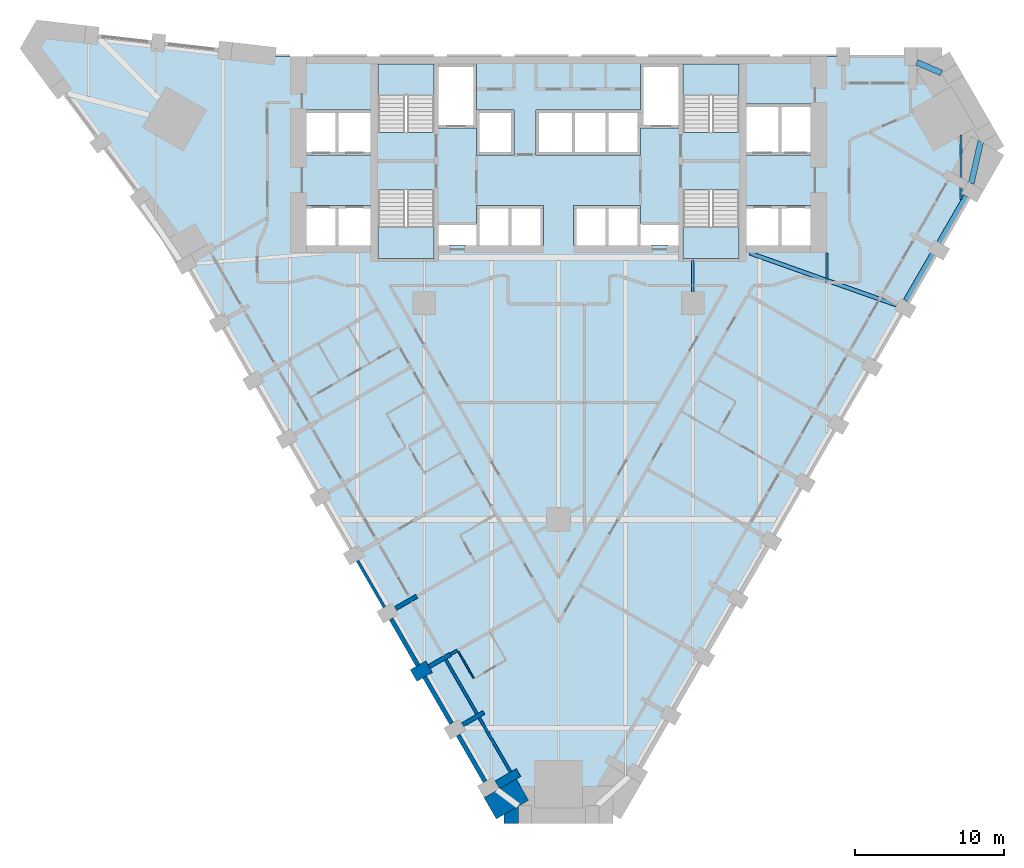
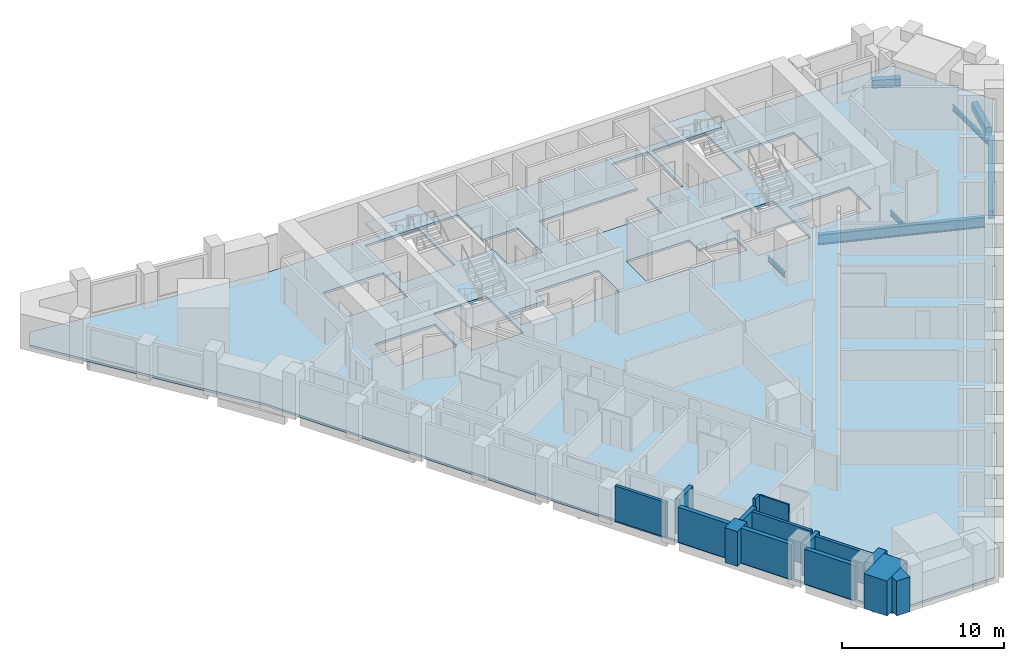
# One storey, part 2 of 11: 15 walls, 7 beams, 5 slabs, 4 elements without a shape of their own.
"""IFC4 building model written with IfcOpenShell, lengths in metres."""

import ifcopenshell
import ifcopenshell.guid

model = None  # the IFC model being written
_history = None  # IfcOwnerHistory: only IFC2X3 demands one
_inside = {}  # id of a spatial element -> (the spatial element, [elements in it])
_under = {}  # id of a project, library or spatial element -> (it, [spatial elements below it])
_declared = {}  # id of a project -> (the project, [libraries it declares])
_typed = {}  # id of a type object -> (the type object, [elements of that type])
_made_of = {}  # id of a material, layer set ... -> (it, [elements and type objects made of it])


def new_model(schema):
    """Start an empty IFC model of exactly this schema.

    Asked for "IFC4X3", IfcOpenShell would pick the latest addendum, in which some entities
    have other attributes; the version numbers below select the first issue.
    IFC2X3 requires an IfcOwnerHistory on every rooted entity: one is made here for all.
    """
    global model, _history
    if schema == "IFC4X3":
        model = ifcopenshell.file(schema_version=(4, 3, 0, 0))
    else:
        model = ifcopenshell.file(schema=schema)
    _inside.clear()
    _under.clear()
    _declared.clear()
    _typed.clear()
    _made_of.clear()
    _history = None
    if model.schema == "IFC2X3":
        org = make("IfcOrganization", Name="unknown")
        user = make(
            "IfcPersonAndOrganization",
            ThePerson=make("IfcPerson", FamilyName="unknown"),
            TheOrganization=org,
        )
        app = make(
            "IfcApplication",
            ApplicationDeveloper=org,
            Version="unknown",
            ApplicationFullName="unknown",
            ApplicationIdentifier="unknown",
        )
        _history = make(
            "IfcOwnerHistory",
            OwningUser=user,
            OwningApplication=app,
            ChangeAction="ADDED",
            CreationDate=0,
        )
    return model


def make(cls, **values):
    """One entity of the class cls with the attributes given. An attribute that is None is left unset."""
    return model.create_entity(
        cls, **{name: value for name, value in values.items() if value is not None}
    )


def rooted(cls, **values):
    """An entity with a GlobalId (a new one), such as an element, a storey or a relation."""
    return make(cls, GlobalId=ifcopenshell.guid.new(), OwnerHistory=_history, **values)


def si_unit(unit_type, name, prefix=None):
    """IfcSIUnit, for example si_unit("LENGTHUNIT", "METRE", prefix="MILLI")."""
    return make("IfcSIUnit", UnitType=unit_type, Prefix=prefix, Name=name)


def assignment(units):
    """IfcUnitAssignment: the units of a project."""
    return None if units is None else make("IfcUnitAssignment", Units=units)


def point(xyz):
    """IfcCartesianPoint."""
    return None if xyz is None else make("IfcCartesianPoint", Coordinates=xyz)


def direction(xyz):
    """IfcDirection."""
    return None if xyz is None else make("IfcDirection", DirectionRatios=xyz)


def frame(location, z_axis=None, x_axis=None):
    """IfcAxis2Placement3D, a coordinate frame: its origin and axes. An axis left out is left unset."""
    return make(
        "IfcAxis2Placement3D",
        Location=point(location),
        Axis=direction(z_axis),
        RefDirection=direction(x_axis),
    )


def frame_2d(location, x_axis=None):
    """IfcAxis2Placement2D, a coordinate frame in the plane: its origin and x axis."""
    return make(
        "IfcAxis2Placement2D", Location=point(location), RefDirection=direction(x_axis)
    )


def origin():
    """The frame at (0, 0, 0) with its axes left unset."""
    return frame((0.0, 0.0, 0.0))


def origin_2d():
    """The frame at (0, 0) in the plane with its x axis left unset."""
    return frame_2d((0.0, 0.0))


def place(relative_to, where):
    """IfcLocalPlacement: puts the frame where relative to a parent placement (None: the world)."""
    return make(
        "IfcLocalPlacement", PlacementRelTo=relative_to, RelativePlacement=where
    )


def context(
    kind, dimensions, precision=None, world=None, true_north=None, identifier=None
):
    """IfcGeometricRepresentationContext, for example the 3D "Model" context."""
    return make(
        "IfcGeometricRepresentationContext",
        ContextIdentifier=identifier,
        ContextType=kind,
        CoordinateSpaceDimension=dimensions,
        Precision=precision,
        WorldCoordinateSystem=world,
        TrueNorth=true_north,
    )


def subcontext(parent, identifier, kind, view, scale=None):
    """IfcGeometricRepresentationSubContext, for example "Body" below "Model"."""
    return make(
        "IfcGeometricRepresentationSubContext",
        ContextIdentifier=identifier,
        ContextType=kind,
        ParentContext=parent,
        TargetScale=scale,
        TargetView=view,
    )


def project(units=None, contexts=None):
    """IfcProject with its units and contexts."""
    return rooted(
        "IfcProject",
        Name="project",
        RepresentationContexts=contexts,
        UnitsInContext=assignment(units),
    )


def spatial(cls, under=None, at=None, **own):
    """A site, building, storey or space (cls), placed at a placement, below another one or the project."""
    s = rooted(cls, ObjectPlacement=at, **own)
    if under is not None:
        _under.setdefault(under.id(), (under, []))[1].append(s)
    return s


def polyline(points):
    """IfcPolyline through the points."""
    return make("IfcPolyline", Points=[point(p) for p in points])


def profile(cls, at=None, kind="AREA", **sizes):
    """A parametric profile (cls). Its sizes go by their IFC names, for example OverallWidth=200.0."""
    return make(cls, ProfileType=kind, Position=at, **sizes)


def rectangle(**sizes):
    """IfcRectangleProfileDef."""
    return profile("IfcRectangleProfileDef", **sizes)


def i_section(**sizes):
    """IfcIShapeProfileDef."""
    return profile("IfcIShapeProfileDef", **sizes)


def outline(outer, holes=None, kind="AREA"):
    """IfcArbitraryClosedProfileDef: a profile drawn as a closed curve; with holes, ...WithVoids."""
    if holes is None:
        return make("IfcArbitraryClosedProfileDef", ProfileType=kind, OuterCurve=outer)
    return make(
        "IfcArbitraryProfileDefWithVoids",
        ProfileType=kind,
        OuterCurve=outer,
        InnerCurves=holes,
    )


def extrude(swept, where, along, depth):
    """IfcExtrudedAreaSolid: the profile swept, set in the frame where, extruded along a direction by depth."""
    return make(
        "IfcExtrudedAreaSolid",
        SweptArea=swept,
        Position=where,
        ExtrudedDirection=direction(along),
        Depth=depth,
    )


def shape(context_of_items, identifier, shape_type, items):
    """IfcShapeRepresentation: the items that make up one representation, for example the "Body"."""
    return make(
        "IfcShapeRepresentation",
        ContextOfItems=context_of_items,
        RepresentationIdentifier=identifier,
        RepresentationType=shape_type,
        Items=items,
    )


def material(Name=None, Category=None):
    """IfcMaterial."""
    return make("IfcMaterial", Name=Name, Category=Category)


def layer(
    of_material, thickness, ventilated=None, Name=None, Category=None, Priority=None
):
    """IfcMaterialLayer: one layer of a wall or slab, of a material (None: an air gap)."""
    return make(
        "IfcMaterialLayer",
        Material=of_material,
        LayerThickness=thickness,
        IsVentilated=ventilated,
        Name=Name,
        Category=Category,
        Priority=Priority,
    )


def layer_set(layers, Name=None):
    """IfcMaterialLayerSet."""
    return make("IfcMaterialLayerSet", MaterialLayers=layers, LayerSetName=Name)


def material_profile(
    of_material, cross_section, Name=None, Category=None, Priority=None
):
    """IfcMaterialProfile: a cross section and its material."""
    return make(
        "IfcMaterialProfile",
        Name=Name,
        Material=of_material,
        Profile=cross_section,
        Priority=Priority,
        Category=Category,
    )


def profile_set(profiles, Name=None, composite=None):
    """IfcMaterialProfileSet."""
    return make(
        "IfcMaterialProfileSet",
        Name=Name,
        MaterialProfiles=profiles,
        CompositeProfile=composite,
    )


def made_of(thing, what):
    """Note that an element or type object is made of a material, layer set ...; save() writes the relation."""
    if what is not None:
        _made_of.setdefault(what.id(), (what, []))[1].append(thing)
    return thing


def type_object(cls, material=None, **own):
    """A type object (cls), such as IfcWallType, which elements share."""
    return made_of(rooted(cls, **own), material)


def element(
    cls,
    number,
    at=None,
    inside=None,
    cuts=None,
    type_object=None,
    material=None,
    context=None,
    identifier="Body",
    shape_type=None,
    held_by="IfcProductDefinitionShape",
    body=None,
    shapes=None,
    **own,
):
    """One element of the class cls, such as IfcWall. Its Tag is "e" and its number.

    at: its placement. inside: the storey or other place that contains it. cuts: it is an
    opening in that element (IfcRelVoidsElement). A single representation is given by context,
    identifier, shape_type and body (its items); several are given by shapes. held_by: the class
    of the entity that holds the representations. save() writes the other relations.
    """
    e = rooted(cls, Tag="e%d" % number, ObjectPlacement=at, **own)
    if body is not None:
        shapes = [shape(context, identifier, shape_type, body)]
    if shapes is not None:
        e.Representation = make(held_by, Representations=shapes)
    if inside is not None:
        _inside.setdefault(inside.id(), (inside, []))[1].append(e)
    if cuts is not None:
        rooted(
            "IfcRelVoidsElement", RelatingBuildingElement=cuts, RelatedOpeningElement=e
        )
    if type_object is not None:
        _typed.setdefault(type_object.id(), (type_object, []))[1].append(e)
    return made_of(e, material)


def aggregate(whole, parts):
    """IfcRelAggregates: a whole, such as a stair, and the parts it consists of."""
    return rooted("IfcRelAggregates", RelatingObject=whole, RelatedObjects=parts)


def save(model, path):
    """Write the relations noted so far, then the file.

    IfcRelAggregates (storeys below a building ...), IfcRelContainedInSpatialStructure (elements
    in a storey), IfcRelDefinesByType, IfcRelAssociatesMaterial and IfcRelDeclares: one each for
    every whole, place, type object, material and project.
    """
    for whole, parts in _under.values():
        aggregate(whole, parts)
    for where, things in _inside.values():
        rooted(
            "IfcRelContainedInSpatialStructure",
            RelatedElements=things,
            RelatingStructure=where,
        )
    for kind, things in _typed.values():
        rooted("IfcRelDefinesByType", RelatedObjects=things, RelatingType=kind)
    for what, things in _made_of.values():
        rooted("IfcRelAssociatesMaterial", RelatedObjects=things, RelatingMaterial=what)
    for by, libraries in _declared.values():
        rooted("IfcRelDeclares", RelatingContext=by, RelatedDefinitions=libraries)
    model.write(path)


model = new_model("IFC4")

# Units and contexts
model_context = context("Model", 3, precision=1e-05, world=origin(), true_north=direction((0.0, 1.0)))
body_context = subcontext(model_context, "Body", "Model", "MODEL_VIEW")
ifc_project = project(units=[si_unit("LENGTHUNIT", "METRE"), si_unit("AREAUNIT", "SQUARE_METRE"), si_unit("VOLUMEUNIT", "CUBIC_METRE"), si_unit("PLANEANGLEUNIT", "RADIAN"), si_unit("MASSUNIT", "GRAM", prefix="KILO")], contexts=[model_context])

# Site, building, storey
site_placement = place(None, origin())
site = spatial("IfcSite", under=ifc_project, at=site_placement, CompositionType="ELEMENT")
building_placement = place(site_placement, origin())
building = spatial("IfcBuilding", under=site, at=building_placement, Name="Calabash Gate Tower", CompositionType="ELEMENT")
storey_placement = place(building_placement, frame((0.0, 0.0, 49.39990234375)))
storey = spatial("IfcBuildingStorey", under=building, at=storey_placement, Name="L07", CompositionType="ELEMENT", Elevation=49.39990234375)

# Beams
ifc_material_1 = material(Name="Concrete C60/75", Category="concrete")
ifc_material_profile_1 = material_profile(ifc_material_1, rectangle(XDim=0.39990234375, YDim=0.60009765625, at=origin_2d()))
ifc_profile_set_1 = profile_set([ifc_material_profile_1], Name="Concrete C60/75")
beam_type_1 = type_object("IfcBeamType", Name="Edge beam RC 400x600 Concrete C60/75", PredefinedType="BEAM", material=ifc_profile_set_1)
beam_1_placement = place(storey_placement, frame((23.302001953125, 2.656982421875, -0.469970703125), z_axis=(0.500104308266, 0.865965173003, 0.0), x_axis=(-0.865965173003, 0.500104308266, 0.0)))
element("IfcBeam", 1, at=beam_1_placement, inside=storey, type_object=beam_type_1, Name="Edge beam L07 11", PredefinedType="BEAM", context=body_context, shape_type="SweptSolid", body=[
    extrude(rectangle(XDim=0.39990234375, YDim=0.60009765625, at=origin_2d()), origin(), (0.0, 0.0, 1.0), 8.098388671875),
])
beam_2_placement = place(storey_placement, frame((27.669921875, 10.511962890625, -0.469970703125), z_axis=(0.221008263072, 0.975271935233, 0.0), x_axis=(-0.975271935233, 0.221008263072, 0.0)))
element("IfcBeam", 2, at=beam_2_placement, inside=storey, type_object=beam_type_1, Name="Edge beam L07 12", PredefinedType="BEAM", context=body_context, shape_type="SweptSolid", body=[
    extrude(rectangle(XDim=0.39990234375, YDim=0.60009765625, at=origin_2d()), origin(), (0.0, 0.0, 1.0), 2.927490234375),
])
beam_3_placement = place(storey_placement, frame((25.669921875, 17.93798828125, -0.469970703125), z_axis=(-0.91749083079, 0.397756930067, 0.0), x_axis=(-0.397756930067, -0.91749083079, 0.0)))
element("IfcBeam", 3, at=beam_3_placement, inside=storey, type_object=beam_type_1, Name="Edge beam L07 13", PredefinedType="BEAM", context=body_context, shape_type="SweptSolid", body=[
    extrude(rectangle(XDim=0.39990234375, YDim=0.60009765625, at=origin_2d()), origin(), (0.0, 0.0, 1.0), 1.787353515625),
])
ifc_material_2 = material(Name="Steel ASTM A992 Gr50", Category="steel")
ifc_material_profile_2 = material_profile(ifc_material_2, i_section(OverallWidth=0.1396484375, OverallDepth=0.398681640625, WebThickness=0.00634765625, FlangeThickness=0.0087890625, FilletRadius=0.01025390625, at=origin_2d()))
ifc_profile_set_2 = profile_set([ifc_material_profile_2], Name="Steel ASTM A992 Gr50")
beam_type_2 = type_object("IfcBeamType", Name="Floor beam W16x26 ASTM A992 Gr50", PredefinedType="BEAM", material=ifc_profile_set_2)
beam_4_placement = place(storey_placement, frame((9.0, 3.300048828125, -0.368896484375), z_axis=(0.0, 1.0, 0.0), x_axis=(-1.0, 0.0, 0.0)))
element("IfcBeam", 4, at=beam_4_placement, inside=storey, type_object=beam_type_2, Name="Floor beam L07 23", PredefinedType="BEAM", context=body_context, shape_type="SweptSolid", body=[
    extrude(i_section(OverallWidth=0.1396484375, OverallDepth=0.398681640625, WebThickness=0.00634765625, FlangeThickness=0.0087890625, FilletRadius=0.01025390625, at=origin_2d()), origin(), (0.0, 0.0, 1.0), 2.10302734375),
])
beam_5_placement = place(storey_placement, frame((18.0, 4.136962890625, -0.368896484375), z_axis=(0.0, 1.0, 0.0), x_axis=(-1.0, 0.0, 0.0)))
element("IfcBeam", 5, at=beam_5_placement, inside=storey, type_object=beam_type_2, Name="Floor beam L07 27", PredefinedType="BEAM", context=body_context, shape_type="SweptSolid", body=[
    extrude(i_section(OverallWidth=0.1396484375, OverallDepth=0.398681640625, WebThickness=0.00634765625, FlangeThickness=0.0087890625, FilletRadius=0.01025390625, at=origin_2d()), origin(), (0.0, 0.0, 1.0), 1.716064453125),
])
beam_6_placement = place(storey_placement, frame((27.0, 9.447998046875, -0.368896484375), z_axis=(0.0, 1.0, 0.0), x_axis=(-1.0, 0.0, 0.0)))
element("IfcBeam", 6, at=beam_6_placement, inside=storey, type_object=beam_type_2, Name="Floor beam L07 28", PredefinedType="BEAM", context=body_context, shape_type="SweptSolid", body=[
    extrude(i_section(OverallWidth=0.1396484375, OverallDepth=0.398681640625, WebThickness=0.00634765625, FlangeThickness=0.0087890625, FilletRadius=0.01025390625, at=origin_2d()), origin(), (0.0, 0.0, 1.0), 4.324951171875),
])
ifc_material_3 = material(Name="Steel ASTM A992 Gr50", Category="steel")
ifc_material_profile_3 = material_profile(ifc_material_3, i_section(OverallWidth=0.2666015625, OverallDepth=0.77978515625, WebThickness=0.0166015625, FlangeThickness=0.030029296875, FilletRadius=0.0166015625, at=origin_2d()))
ifc_profile_set_3 = profile_set([ifc_material_profile_3], Name="Steel ASTM A992 Gr50")
beam_type_3 = type_object("IfcBeamType", Name="Girder W30x148 ASTM A992 Gr50", PredefinedType="BEAM", material=ifc_profile_set_3)
beam_7_placement = place(storey_placement, frame((22.68603515625, 2.366943359375, -0.559814453125), z_axis=(-0.942595853191, 0.333935708705, 0.0), x_axis=(-0.333935708705, -0.942595853191, 0.0)))
element("IfcBeam", 7, at=beam_7_placement, inside=storey, type_object=beam_type_3, Name="Girder L07 3", PredefinedType="BEAM", context=body_context, shape_type="SweptSolid", body=[
    extrude(i_section(OverallWidth=0.2666015625, OverallDepth=0.77978515625, WebThickness=0.0166015625, FlangeThickness=0.030029296875, FilletRadius=0.0166015625, at=origin_2d()), origin(), (0.0, 0.0, 1.0), 10.460693359375),
])

# Slab
ifc_material_4 = material(Name="Concrete C40/50", Category="concrete")
ifc_layer_1 = layer(ifc_material_4, 0.169921875)
ifc_layer_set_1 = layer_set([ifc_layer_1], Name="Composite floor slab 170 Concrete C40/50")
slab_type_1 = type_object("IfcSlabType", Name="Composite floor slab 170 Concrete C40/50", PredefinedType="FLOOR", material=ifc_layer_set_1)
slab_1_placement = place(storey_placement, frame((0.0, 0.0, -0.169921875)))
element("IfcSlab", 8, at=slab_1_placement, inside=storey, type_object=slab_type_1, Name="Floor slab L07", PredefinedType="FLOOR", context=body_context, shape_type="SweptSolid", body=[
    extrude(outline(polyline([(-26.0, 6.92822265625), (-35.392578125, 19.606201171875), (-34.67578125, 20.84765625), (-19.0, 19.052490234375), (25.699951171875, 19.052490234375), (29.35009765625, 12.73046875), (3.64990234375, -31.783203125), (-3.64990234375, -31.783203125), (-26.0, 6.92822265625)]), holes=[polyline([(-5.5, 9.052490234375), (-5.5, 7.8525390625), (-8.050048828125, 7.8525390625), (-8.050048828125, 6.3525390625), (-7.324951171875, 6.3525390625), (-7.324951171875, 6.402587890625), (-6.22509765625, 6.402587890625), (-6.22509765625, 6.3525390625), (-5.5, 6.3525390625), (-3.25, 6.3525390625), (-1.0, 6.3525390625), (-1.0, 9.052490234375), (-3.25, 9.052490234375), (-5.5, 9.052490234375)]), polyline([(5.5, 9.052490234375), (3.25, 9.052490234375), (1.0, 9.052490234375), (1.0, 6.3525390625), (3.25, 6.3525390625), (5.5, 6.3525390625), (6.22509765625, 6.3525390625), (6.22509765625, 6.402587890625), (7.324951171875, 6.402587890625), (7.324951171875, 6.3525390625), (8.050048828125, 6.3525390625), (8.050048828125, 7.8525390625), (5.5, 7.8525390625), (5.5, 9.052490234375)]), polyline([(-5.5, 14.252685546875), (-5.5, 12.45263671875), (-3.0, 12.45263671875), (-3.0, 15.45263671875), (-5.5, 15.45263671875), (-5.5, 18.552490234375), (-8.050048828125, 18.552490234375), (-8.050048828125, 14.252685546875), (-5.5, 14.252685546875)]), polyline([(8.050048828125, 18.552490234375), (5.5, 18.552490234375), (5.5, 15.45263671875), (3.25, 15.45263671875), (1.0, 15.45263671875), (-1.5, 15.45263671875), (-1.5, 12.45263671875), (1.0, 12.45263671875), (3.25, 12.45263671875), (5.5, 12.45263671875), (5.5, 14.252685546875), (8.050048828125, 14.252685546875), (8.050048828125, 18.552490234375)]), polyline([(-12.60009765625, 6.3525390625), (-12.60009765625, 9.052490234375), (-14.85009765625, 9.052490234375), (-16.89990234375, 9.052490234375), (-16.89990234375, 6.3525390625), (-14.85009765625, 6.3525390625), (-12.60009765625, 6.3525390625)]), polyline([(-14.85009765625, 12.45263671875), (-12.60009765625, 12.45263671875), (-12.60009765625, 15.45263671875), (-14.85009765625, 15.45263671875), (-16.89990234375, 15.45263671875), (-16.89990234375, 12.45263671875), (-14.85009765625, 12.45263671875)]), polyline([(14.85009765625, 6.3525390625), (16.89990234375, 6.3525390625), (16.89990234375, 9.052490234375), (14.85009765625, 9.052490234375), (12.60009765625, 9.052490234375), (12.60009765625, 6.3525390625), (14.85009765625, 6.3525390625)]), polyline([(14.85009765625, 12.45263671875), (16.89990234375, 12.45263671875), (16.89990234375, 15.8525390625), (14.85009765625, 15.8525390625), (12.60009765625, 15.8525390625), (12.60009765625, 12.45263671875), (14.85009765625, 12.45263671875)]), polyline([(-8.35009765625, 18.552490234375), (-12.10009765625, 18.552490234375), (-12.10009765625, 13.95263671875), (-8.35009765625, 13.95263671875), (-8.35009765625, 18.552490234375)]), polyline([(-12.10009765625, 10.1025390625), (-12.10009765625, 5.502685546875), (-8.35009765625, 5.502685546875), (-8.35009765625, 10.1025390625), (-12.10009765625, 10.1025390625)]), polyline([(8.35009765625, 13.95263671875), (12.10009765625, 13.95263671875), (12.10009765625, 18.552490234375), (8.35009765625, 18.552490234375), (8.35009765625, 13.95263671875)]), polyline([(12.10009765625, 5.502685546875), (12.10009765625, 10.1025390625), (8.35009765625, 10.1025390625), (8.35009765625, 5.502685546875), (12.10009765625, 5.502685546875)])]), origin(), (0.0, 0.0, 1.0), 0.169921875),
])

# Stair, slab
ifc_material_5 = material(Name="Concrete C40/50", Category="concrete")
stair_type = type_object("IfcStairType", Name="Exit stair 20 risers of 170 mm", PredefinedType="HALF_TURN_STAIR", material=ifc_material_5)
stair_1_placement = place(storey_placement, origin())
stair_1 = element("IfcStair", 9, at=stair_1_placement, inside=storey, type_object=stair_type, Name="L07 Exit stair ST1", PredefinedType="HALF_TURN_STAIR")
ifc_material_6 = material(Name="Concrete C40/50", Category="concrete")
ifc_layer_2 = layer(ifc_material_6, 0.199951171875)
ifc_layer_set_2 = layer_set([ifc_layer_2], Name="Stair landing SL200")
slab_type_2 = type_object("IfcSlabType", Name="Stair landing SL200", PredefinedType="LANDING", material=ifc_layer_set_2)
slab_2_placement = place(storey_placement, frame((0.0, 0.0, 1.5)))
slab_2 = element("IfcSlab", 10, at=slab_2_placement, type_object=slab_type_2, Name="ST1 landing 1", PredefinedType="LANDING", context=body_context, shape_type="SweptSolid", body=[
    extrude(outline(polyline([(-8.35009765625, 16.463623046875), (-8.35009765625, 18.552490234375), (-12.10009765625, 18.552490234375), (-12.10009765625, 16.463623046875), (-8.35009765625, 16.463623046875)])), origin(), (0.0, 0.0, 1.0), 0.2001953125),
])
aggregate(stair_1, [slab_2])

stair_2_placement = place(storey_placement, origin())
stair_2 = element("IfcStair", 11, at=stair_2_placement, inside=storey, type_object=stair_type, Name="L07 Exit stair ST2", PredefinedType="HALF_TURN_STAIR")
slab_3_placement = place(storey_placement, frame((0.0, 0.0, 1.5)))
slab_3 = element("IfcSlab", 12, at=slab_3_placement, type_object=slab_type_2, Name="ST2 landing 1", PredefinedType="LANDING", context=body_context, shape_type="SweptSolid", body=[
    extrude(outline(polyline([(-12.10009765625, 7.591552734375), (-12.10009765625, 5.502685546875), (-8.35009765625, 5.502685546875), (-8.35009765625, 7.591552734375), (-12.10009765625, 7.591552734375)])), origin(), (0.0, 0.0, 1.0), 0.2001953125),
])
aggregate(stair_2, [slab_3])

stair_3_placement = place(storey_placement, origin())
stair_3 = element("IfcStair", 13, at=stair_3_placement, inside=storey, type_object=stair_type, Name="L07 Exit stair ST3", PredefinedType="HALF_TURN_STAIR")
slab_4_placement = place(storey_placement, frame((0.0, 0.0, 1.5)))
slab_4 = element("IfcSlab", 14, at=slab_4_placement, type_object=slab_type_2, Name="ST3 landing 1", PredefinedType="LANDING", context=body_context, shape_type="SweptSolid", body=[
    extrude(outline(polyline([(12.10009765625, 16.463623046875), (12.10009765625, 18.552490234375), (8.35009765625, 18.552490234375), (8.35009765625, 16.463623046875), (12.10009765625, 16.463623046875)])), origin(), (0.0, 0.0, 1.0), 0.2001953125),
])
aggregate(stair_3, [slab_4])

stair_4_placement = place(storey_placement, origin())
stair_4 = element("IfcStair", 15, at=stair_4_placement, inside=storey, type_object=stair_type, Name="L07 Exit stair ST4", PredefinedType="HALF_TURN_STAIR")
slab_5_placement = place(storey_placement, frame((0.0, 0.0, 1.5)))
slab_5 = element("IfcSlab", 16, at=slab_5_placement, type_object=slab_type_2, Name="ST4 landing 1", PredefinedType="LANDING", context=body_context, shape_type="SweptSolid", body=[
    extrude(outline(polyline([(8.35009765625, 7.591552734375), (8.35009765625, 5.502685546875), (12.10009765625, 5.502685546875), (12.10009765625, 7.591552734375), (8.35009765625, 7.591552734375)])), origin(), (0.0, 0.0, 1.0), 0.2001953125),
])
aggregate(stair_4, [slab_5])

# Walls
ifc_material_7 = material(Name="Terracotta brick masonry, exposed face", Category="masonry")
ifc_layer_3 = layer(ifc_material_7, 2.5)
ifc_layer_set_3 = layer_set([ifc_layer_3], Name="Brick corner mass wall 2500")
wall_type_1 = type_object("IfcWallType", Name="Brick corner mass wall 2500", PredefinedType="SOLIDWALL", material=ifc_layer_set_3)
wall_1_placement = place(storey_placement, origin())
element("IfcWall", 17, at=wall_1_placement, inside=storey, type_object=wall_type_1, Name="Brick corner pier S01 2a", PredefinedType="SOLIDWALL", context=body_context, shape_type="SweptSolid", body=[
    extrude(outline(polyline([(-2.004638671875, -30.833251953125), (-2.82958984375, -29.404296875), (-4.99462890625, -30.654296875), (-4.169677734375, -32.083251953125), (-2.699951171875, -31.234619140625), (-2.699951171875, -31.18310546875), (-2.610595703125, -31.18310546875), (-2.004638671875, -30.833251953125)])), origin(), (0.0, 0.0, 1.0), 2.630126953125),
])
wall_2_placement = place(storey_placement, origin())
element("IfcWall", 18, at=wall_2_placement, inside=storey, type_object=wall_type_1, Name="Brick corner pier S01 2ba", PredefinedType="SOLIDWALL", context=body_context, shape_type="SweptSolid", body=[
    extrude(outline(polyline([(-3.64990234375, -31.783203125), (-3.64990234375, -32.383056640625), (-2.699951171875, -32.383056640625), (-2.699951171875, -31.234619140625), (-3.64990234375, -31.783203125)])), origin(), (0.0, 0.0, 1.0), 2.630126953125),
])
ifc_material_8 = material(Name="Terracotta brick masonry, exposed face", Category="masonry")
ifc_layer_4 = layer(ifc_material_8, 1.199951171875)
ifc_layer_set_4 = layer_set([ifc_layer_4], Name="Brick end wall 1200")
wall_type_2 = type_object("IfcWallType", Name="Brick end wall 1200", PredefinedType="SOLIDWALL", material=ifc_layer_set_4)
wall_3_placement = place(storey_placement, frame((-8.680419921875, -21.870361328125, 0.0), z_axis=(0.0, 0.0, 1.0), x_axis=(-0.866094119867, -0.499880961361, 0.0)))
element("IfcWall", 19, at=wall_3_placement, inside=storey, type_object=wall_type_2, Name="Brick pier S01 SW0.7", PredefinedType="SOLIDWALL", context=body_context, shape_type="SweptSolid", body=[
    extrude(rectangle(XDim=1.199951171875, YDim=0.89990234375, at=frame_2d((0.60009765625, 0.0))), origin(), (0.0, 0.0, 1.0), 2.630126953125),
])
ifc_material_9 = material(Name="Terracotta brick masonry, exposed face", Category="masonry")
ifc_layer_5 = layer(ifc_material_9, 0.300048828125)
ifc_layer_set_5 = layer_set([ifc_layer_5], Name="Brick infill panel wall 300")
wall_type_3 = type_object("IfcWallType", Name="Brick infill panel wall 300", PredefinedType="SOLIDWALL", material=ifc_layer_set_5)
for number, where, z_axis, x_axis, name in (
    (20, (-11.22509765625, -18.662841796875, 0.0), (0.0, 0.0, 1.0), (0.500012057535, -0.866018442252, 0.0), "Brick panel S01 SW0.7"),
    (21, (-8.97509765625, -22.56005859375, 0.0), (0.0, 0.0, 1.0), (0.500012057535, -0.866018442252, 0.0), "Brick panel S01 SW0.8"),
):
    element("IfcWall", number, at=place(storey_placement, frame(where, z_axis=z_axis, x_axis=x_axis)), inside=storey, type_object=wall_type_3, Name=name, PredefinedType="SOLIDWALL", context=body_context, shape_type="SweptSolid", body=[
        extrude(rectangle(XDim=3.60009765625, YDim=0.300048828125, at=frame_2d((1.800048828125, 0.0))), origin(), (0.0, 0.0, 1.0), 2.630126953125),
    ])
wall_4_placement = place(storey_placement, frame((-4.92529296875, -29.574462890625, 0.0), z_axis=(0.0, 0.0, 1.0), x_axis=(-0.499990559667, 0.866030854095, 0.0)))
element("IfcWall", 22, at=wall_4_placement, inside=storey, type_object=wall_type_3, Name="Brick panel S01 SW0.9", PredefinedType="SOLIDWALL", context=body_context, shape_type="SweptSolid", body=[
    extrude(rectangle(XDim=3.599609375, YDim=0.300048828125, at=frame_2d((1.7998046875, 0.0))), origin(), (0.0, 0.0, 1.0), 2.630126953125),
])
ifc_material_10 = material(Name="Terracotta brick masonry, exposed face", Category="masonry")
ifc_layer_6 = layer(ifc_material_10, 0.300048828125)
ifc_layer_set_6 = layer_set([ifc_layer_6], Name="Brick loggia cheek wall 300")
wall_type_4 = type_object("IfcWallType", Name="Brick loggia cheek wall 300", PredefinedType="SOLIDWALL", material=ifc_layer_set_6)
wall_5_placement = place(storey_placement, frame((-10.930419921875, -17.97314453125, 0.0), z_axis=(0.0, 0.0, 1.0), x_axis=(0.866040211805, 0.499974350878, 0.0)))
element("IfcWall", 23, at=wall_5_placement, inside=storey, type_object=wall_type_4, Name="Loggia cheek S01 SW0.6", PredefinedType="SOLIDWALL", context=body_context, shape_type="SweptSolid", body=[
    extrude(rectangle(XDim=1.64990234375, YDim=0.300048828125, at=frame_2d((0.824951171875, 0.0))), origin(), (0.0, 0.0, 1.0), 2.650146484375),
])
wall_6_placement = place(storey_placement, frame((-8.680419921875, -21.870361328125, 0.0), z_axis=(0.0, 0.0, 1.0), x_axis=(0.865976140824, 0.500085316245, 0.0)))
element("IfcWall", 24, at=wall_6_placement, inside=storey, type_object=wall_type_4, Name="Loggia cheek S01 SW0.7", PredefinedType="SOLIDWALL", context=body_context, shape_type="SweptSolid", body=[
    extrude(rectangle(XDim=1.650146484375, YDim=0.300048828125, at=frame_2d((0.8251953125, 0.0))), origin(), (0.0, 0.0, 1.0), 2.650146484375),
])
wall_7_placement = place(storey_placement, frame((-6.43017578125, -25.767333984375, 0.0), z_axis=(0.0, 0.0, 1.0), x_axis=(0.866003217194, 0.500038426333, 0.0)))
element("IfcWall", 25, at=wall_7_placement, inside=storey, type_object=wall_type_4, Name="Loggia cheek S01 SW0.8", PredefinedType="SOLIDWALL", context=body_context, shape_type="SweptSolid", body=[
    extrude(rectangle(XDim=1.649658203125, YDim=0.300048828125, at=frame_2d((0.82470703125, 0.0))), origin(), (0.0, 0.0, 1.0), 2.3740234375),
])
wall_8_placement = place(storey_placement, frame((-2.676513671875, -28.969482421875, 0.0), z_axis=(0.0, 0.0, 1.0), x_axis=(-0.866040211805, -0.499974350878, 0.0)))
element("IfcWall", 26, at=wall_8_placement, inside=storey, type_object=wall_type_4, Name="Loggia cheek S01 SW0.9", PredefinedType="SOLIDWALL", context=body_context, shape_type="SweptSolid", body=[
    extrude(rectangle(XDim=1.64990234375, YDim=0.60009765625, at=frame_2d((0.824951171875, 0.0))), origin(), (0.0, 0.0, 1.0), 2.630126953125),
])
ifc_material_11 = material(Name="Gypsum board on steel studs, mineral wool", Category="steel")
ifc_layer_7 = layer(ifc_material_11, 0.10009765625)
ifc_layer_set_7 = layer_set([ifc_layer_7], Name="Partition 100 gypsum board")
wall_type_5 = type_object("IfcWallType", Name="Partition 100 gypsum board", PredefinedType="PARTITIONING", material=ifc_layer_set_7)
wall_9_placement = place(storey_placement, frame((-6.723388671875, -20.8564453125, 0.0), z_axis=(0.0, 0.0, 1.0), x_axis=(0.499354689006, -0.866397653833, 0.0)))
element("IfcWall", 27, at=wall_9_placement, inside=storey, type_object=wall_type_5, Name="Partition", PredefinedType="PARTITIONING", context=body_context, shape_type="SweptSolid", body=[
    extrude(rectangle(XDim=2.050048828125, YDim=0.10009765625, at=frame_2d((1.02490234375, 0.0))), origin(), (0.0, 0.0, 1.0), 3.22998046875),
])
ifc_material_12 = material(Name="Gypsum board on steel studs, mineral wool", Category="steel")
ifc_layer_8 = layer(ifc_material_12, 0.199951171875)
ifc_layer_set_8 = layer_set([ifc_layer_8], Name="Partition 200 gypsum board EI 60")
wall_type_6 = type_object("IfcWallType", Name="Partition 200 gypsum board EI 60", PredefinedType="PARTITIONING", material=ifc_layer_set_8)
wall_10_placement = place(storey_placement, frame((-7.251220703125, -21.045654296875, 0.0), z_axis=(0.0, 0.0, 1.0), x_axis=(0.86747675874, 0.497477711105, 0.0)))
element("IfcWall", 28, at=wall_10_placement, inside=storey, type_object=wall_type_6, Name="Partition", PredefinedType="PARTITIONING", context=body_context, shape_type="SweptSolid", body=[
    extrude(rectangle(XDim=0.549560546875, YDim=0.199951171875, at=frame_2d((0.27490234375, 0.0))), origin(), (0.0, 0.0, 1.0), 3.22998046875),
])
ifc_material_13 = material(Name="Terracotta brick masonry, perforated", Category="masonry")
ifc_layer_9 = layer(ifc_material_13, 0.199951171875)
ifc_layer_set_9 = layer_set([ifc_layer_9], Name="Terracotta jaali screen A")
wall_type_7 = type_object("IfcWallType", Name="Terracotta jaali screen A", PredefinedType="SOLIDWALL", material=ifc_layer_set_9)
wall_11_placement = place(storey_placement, frame((-13.47509765625, -14.765625, 0.0), z_axis=(0.0, 0.0, 1.0), x_axis=(0.499982693035, -0.866035395735, 0.0)))
element("IfcWall", 29, at=wall_11_placement, inside=storey, type_object=wall_type_7, Name="SCREEN A S01 SW0.6", PredefinedType="SOLIDWALL", context=body_context, shape_type="SweptSolid", body=[
    extrude(rectangle(XDim=3.600341796875, YDim=0.199951171875, at=frame_2d((1.80029296875, 0.0))), origin(), (0.0, 0.0, 1.0), 2.630126953125),
])
ifc_material_14 = material(Name="Aluminium framed window wall with insulated spandrel", Category="aluminium")
ifc_layer_10 = layer(ifc_material_14, 0.199951171875)
ifc_layer_set_10 = layer_set([ifc_layer_10], Name="Window wall 200")
wall_type_8 = type_object("IfcWallType", Name="Window wall 200", PredefinedType="ELEMENTEDWALL", material=ifc_layer_set_10)
wall_12_placement = place(storey_placement, frame((-7.566162109375, -21.400146484375, 0.0), z_axis=(0.0, 0.0, 1.0), x_axis=(0.500027713859, -0.866009402589, 0.0)))
element("IfcWall", 30, at=wall_12_placement, inside=storey, type_object=wall_type_8, Name="Window wall S01 SW0.8", PredefinedType="ELEMENTEDWALL", context=body_context, shape_type="SweptSolid", body=[
    extrude(rectangle(XDim=4.199951171875, YDim=0.199951171875, at=frame_2d((2.10009765625, 0.0))), origin(), (0.0, 0.0, 1.0), 2.650146484375),
])
wall_13_placement = place(storey_placement, frame((-5.316162109375, -25.29736328125, 0.0), z_axis=(0.0, 0.0, 1.0), x_axis=(0.500027713859, -0.866009402589, 0.0)))
element("IfcWall", 31, at=wall_13_placement, inside=storey, type_object=wall_type_8, Name="Window wall S01 SW0.9", PredefinedType="ELEMENTEDWALL", context=body_context, shape_type="SweptSolid", body=[
    extrude(rectangle(XDim=4.199951171875, YDim=0.199951171875, at=frame_2d((2.10009765625, 0.0))), origin(), (0.0, 0.0, 1.0), 2.3740234375),
])

save(model, "model.ifc")
